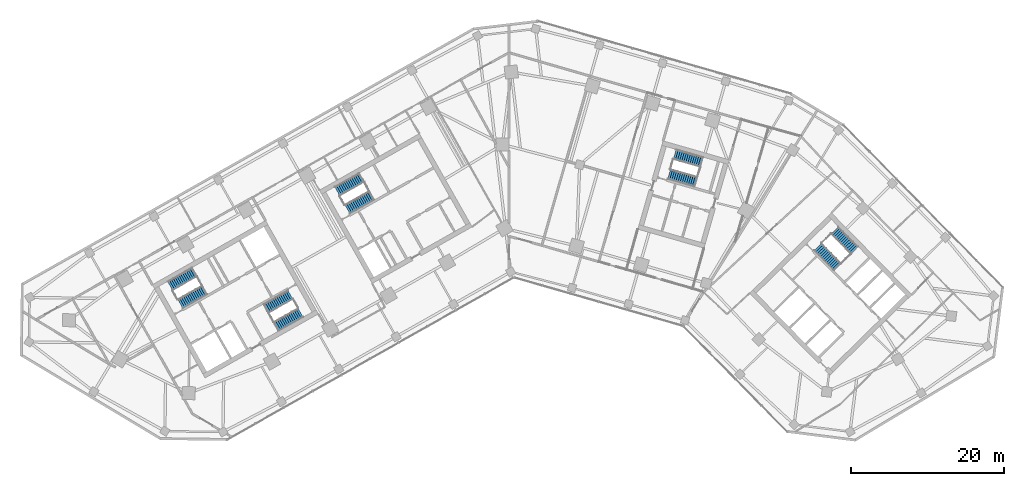
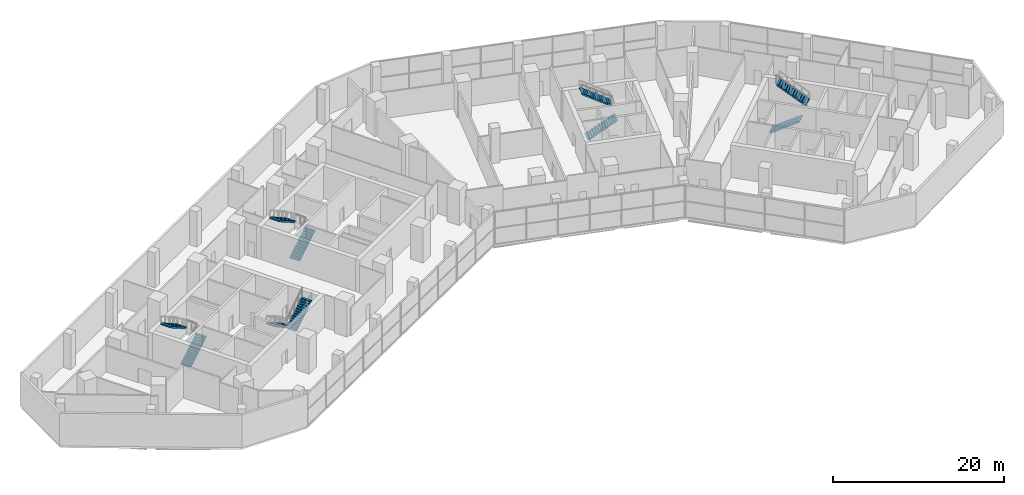
# One storey, part 16 of 18: 10 stair flights, 5 elements without a shape of their own.
"""IFC4 building model written with IfcOpenShell, lengths in metres."""

from ifc_helpers import new_model, si_unit, direction, frame, origin, place, context, subcontext, project, spatial, polyline, outline, extrude, material, type_object, element, aggregate, save


model = new_model("IFC4")

# Units and contexts
model_context = context("Model", 3, precision=1e-05, world=origin(), true_north=direction((0.0, 1.0)))
body_context = subcontext(model_context, "Body", "Model", "MODEL_VIEW")
ifc_project = project(units=[si_unit("LENGTHUNIT", "METRE"), si_unit("AREAUNIT", "SQUARE_METRE"), si_unit("VOLUMEUNIT", "CUBIC_METRE"), si_unit("PLANEANGLEUNIT", "RADIAN"), si_unit("MASSUNIT", "GRAM", prefix="KILO")], contexts=[model_context])

# Site, building, storey
site_placement = place(None, origin())
site = spatial("IfcSite", under=ifc_project, at=site_placement, CompositionType="ELEMENT")
building_placement = place(site_placement, origin())
building = spatial("IfcBuilding", under=site, at=building_placement, Name="Binnacle Exchange Tower", CompositionType="ELEMENT")
storey_placement = place(building_placement, frame((0.0, 0.0, 6.5)))
storey = spatial("IfcBuildingStorey", under=building, at=storey_placement, Name="L01", CompositionType="ELEMENT", Elevation=6.5)

# Stair, stair flights
ifc_material = material(Name="Concrete C35/45", Category="concrete")
stair_type = type_object("IfcStairType", Name="STAIR 28 RISERS 179", PredefinedType="HALF_TURN_STAIR", material=ifc_material)
stair_1_placement = place(storey_placement, origin())
stair_1 = element("IfcStair", 1, at=stair_1_placement, inside=storey, type_object=stair_type, Name="L01 Escape stair A1", PredefinedType="HALF_TURN_STAIR")
stair_flight_type = type_object("IfcStairFlightType", Name="STAIR FLIGHT 179X280", PredefinedType="STRAIGHT", material=ifc_material)
stair_flight_1_placement = place(storey_placement, frame((-42.9541015625, 39.17333984375, 0.0), z_axis=(0.0, 0.0, 1.0), x_axis=(0.870355584213, 0.492423757581, 0.0)))
stair_flight_1 = element("IfcStairFlight", 2, at=stair_flight_1_placement, type_object=stair_flight_type, Name="STA1 flight 1", NumberOfRisers=14, NumberOfTreads=13, PredefinedType="STRAIGHT", RiserHeight=0.178571429, TreadLength=0.28, context=body_context, shape_type="SweptSolid", body=[
    extrude(outline(polyline([(0.0, 0.0), (0.0, 0.178466796875), (0.280029296875, 0.178466796875), (0.280029296875, 0.357177734375), (0.56005859375, 0.357177734375), (0.56005859375, 0.53564453125), (0.840087890625, 0.53564453125), (0.840087890625, 0.71435546875), (1.1201171875, 0.71435546875), (1.1201171875, 0.892822265625), (1.39990234375, 0.892822265625), (1.39990234375, 1.071533203125), (1.679931640625, 1.071533203125), (1.679931640625, 1.25), (1.9599609375, 1.25), (1.9599609375, 1.428466796875), (2.239990234375, 1.428466796875), (2.239990234375, 1.607177734375), (2.52001953125, 1.607177734375), (2.52001953125, 1.78564453125), (2.800048828125, 1.78564453125), (2.800048828125, 1.96435546875), (3.080078125, 1.96435546875), (3.080078125, 2.142822265625), (3.360107421875, 2.142822265625), (3.360107421875, 2.321533203125), (3.639892578125, 2.321533203125), (3.639892578125, 2.5), (3.639892578125, 2.1435546875), (0.27880859375, 0.0), (0.0, 0.0)])), frame((0.0, 0.675048828125, 0.0), z_axis=(0.0, -1.0, 0.0), x_axis=(1.0, 0.0, 0.0)), (0.0, 0.0, 1.0), 1.35009765625),
])
stair_flight_2_placement = place(storey_placement, frame((-41.115478515625, 43.315673828125, 2.5), z_axis=(0.0, 0.0, 1.0), x_axis=(-0.870355584213, -0.492423757581, 0.0)))
stair_flight_2 = element("IfcStairFlight", 3, at=stair_flight_2_placement, type_object=stair_flight_type, Name="STA1 flight 2", NumberOfRisers=14, NumberOfTreads=13, PredefinedType="STRAIGHT", RiserHeight=0.178571429, TreadLength=0.28, context=body_context, shape_type="SweptSolid", body=[
    extrude(outline(polyline([(0.0, 0.0), (0.0, 0.178466796875), (0.280029296875, 0.178466796875), (0.280029296875, 0.357177734375), (0.56005859375, 0.357177734375), (0.56005859375, 0.53564453125), (0.840087890625, 0.53564453125), (0.840087890625, 0.71435546875), (1.1201171875, 0.71435546875), (1.1201171875, 0.892822265625), (1.39990234375, 0.892822265625), (1.39990234375, 1.071533203125), (1.679931640625, 1.071533203125), (1.679931640625, 1.25), (1.9599609375, 1.25), (1.9599609375, 1.428466796875), (2.239990234375, 1.428466796875), (2.239990234375, 1.607177734375), (2.52001953125, 1.607177734375), (2.52001953125, 1.78564453125), (2.800048828125, 1.78564453125), (2.800048828125, 1.96435546875), (3.080078125, 1.96435546875), (3.080078125, 2.142822265625), (3.360107421875, 2.142822265625), (3.360107421875, 2.321533203125), (3.639892578125, 2.321533203125), (3.639892578125, 2.5), (3.639892578125, 2.1435546875), (0.27880859375, 0.0), (0.0, 0.0)])), frame((0.0, 0.675048828125, 0.0), z_axis=(0.0, -1.0, 0.0), x_axis=(1.0, 0.0, 0.0)), (0.0, 0.0, 1.0), 1.35009765625),
])
aggregate(stair_1, [stair_flight_1, stair_flight_2])

stair_2_placement = place(storey_placement, origin())
stair_2 = element("IfcStair", 4, at=stair_2_placement, inside=storey, type_object=stair_type, Name="L01 Escape stair A2", PredefinedType="HALF_TURN_STAIR")
stair_flight_3_placement = place(storey_placement, frame((-28.5732421875, 40.3583984375, 0.0), z_axis=(0.0, 0.0, 1.0), x_axis=(-0.870355584213, -0.492423757581, 0.0)))
stair_flight_3 = element("IfcStairFlight", 5, at=stair_flight_3_placement, type_object=stair_flight_type, Name="STA2 flight 1", NumberOfRisers=14, NumberOfTreads=13, PredefinedType="STRAIGHT", RiserHeight=0.178571429, TreadLength=0.28, context=body_context, shape_type="SweptSolid", body=[
    extrude(outline(polyline([(0.0, 0.0), (0.0, 0.178466796875), (0.280029296875, 0.178466796875), (0.280029296875, 0.357177734375), (0.56005859375, 0.357177734375), (0.56005859375, 0.53564453125), (0.840087890625, 0.53564453125), (0.840087890625, 0.71435546875), (1.1201171875, 0.71435546875), (1.1201171875, 0.892822265625), (1.39990234375, 0.892822265625), (1.39990234375, 1.071533203125), (1.679931640625, 1.071533203125), (1.679931640625, 1.25), (1.9599609375, 1.25), (1.9599609375, 1.428466796875), (2.239990234375, 1.428466796875), (2.239990234375, 1.607177734375), (2.52001953125, 1.607177734375), (2.52001953125, 1.78564453125), (2.800048828125, 1.78564453125), (2.800048828125, 1.96435546875), (3.080078125, 1.96435546875), (3.080078125, 2.142822265625), (3.360107421875, 2.142822265625), (3.360107421875, 2.321533203125), (3.639892578125, 2.321533203125), (3.639892578125, 2.5), (3.639892578125, 2.1435546875), (0.27880859375, 0.0), (0.0, 0.0)])), frame((0.0, 0.675048828125, 0.0), z_axis=(0.0, -1.0, 0.0), x_axis=(1.0, 0.0, 0.0)), (0.0, 0.0, 1.0), 1.35009765625),
])
stair_flight_4_placement = place(storey_placement, frame((-30.411865234375, 36.216064453125, 2.5), z_axis=(0.0, 0.0, 1.0), x_axis=(0.870355584213, 0.492423757581, 0.0)))
stair_flight_4 = element("IfcStairFlight", 6, at=stair_flight_4_placement, type_object=stair_flight_type, Name="STA2 flight 2", NumberOfRisers=14, NumberOfTreads=13, PredefinedType="STRAIGHT", RiserHeight=0.178571429, TreadLength=0.28, context=body_context, shape_type="SweptSolid", body=[
    extrude(outline(polyline([(0.0, 0.0), (0.0, 0.178466796875), (0.280029296875, 0.178466796875), (0.280029296875, 0.357177734375), (0.56005859375, 0.357177734375), (0.56005859375, 0.53564453125), (0.840087890625, 0.53564453125), (0.840087890625, 0.71435546875), (1.1201171875, 0.71435546875), (1.1201171875, 0.892822265625), (1.39990234375, 0.892822265625), (1.39990234375, 1.071533203125), (1.679931640625, 1.071533203125), (1.679931640625, 1.25), (1.9599609375, 1.25), (1.9599609375, 1.428466796875), (2.239990234375, 1.428466796875), (2.239990234375, 1.607177734375), (2.52001953125, 1.607177734375), (2.52001953125, 1.78564453125), (2.800048828125, 1.78564453125), (2.800048828125, 1.96435546875), (3.080078125, 1.96435546875), (3.080078125, 2.142822265625), (3.360107421875, 2.142822265625), (3.360107421875, 2.321533203125), (3.639892578125, 2.321533203125), (3.639892578125, 2.5), (3.639892578125, 2.1435546875), (0.27880859375, 0.0), (0.0, 0.0)])), frame((0.0, 0.675048828125, 0.0), z_axis=(0.0, -1.0, 0.0), x_axis=(1.0, 0.0, 0.0)), (0.0, 0.0, 1.0), 1.35009765625),
])
aggregate(stair_2, [stair_flight_3, stair_flight_4])

stair_3_placement = place(storey_placement, origin())
stair_3 = element("IfcStair", 7, at=stair_3_placement, inside=storey, type_object=stair_type, Name="L01 Escape stair B1", PredefinedType="HALF_TURN_STAIR")
stair_flight_5_placement = place(storey_placement, frame((40.376708984375, 46.608642578125, 0.0), z_axis=(0.0, 0.0, 1.0), x_axis=(0.70090935144, -0.713250363522, 0.0)))
stair_flight_5 = element("IfcStairFlight", 8, at=stair_flight_5_placement, type_object=stair_flight_type, Name="STB1 flight 1", NumberOfRisers=14, NumberOfTreads=13, PredefinedType="STRAIGHT", RiserHeight=0.178571429, TreadLength=0.28, context=body_context, shape_type="SweptSolid", body=[
    extrude(outline(polyline([(0.0, 0.0), (0.0, 0.178466796875), (0.280029296875, 0.178466796875), (0.280029296875, 0.357177734375), (0.56005859375, 0.357177734375), (0.56005859375, 0.53564453125), (0.840087890625, 0.53564453125), (0.840087890625, 0.71435546875), (1.1201171875, 0.71435546875), (1.1201171875, 0.892822265625), (1.39990234375, 0.892822265625), (1.39990234375, 1.071533203125), (1.679931640625, 1.071533203125), (1.679931640625, 1.25), (1.9599609375, 1.25), (1.9599609375, 1.428466796875), (2.239990234375, 1.428466796875), (2.239990234375, 1.607177734375), (2.52001953125, 1.607177734375), (2.52001953125, 1.78564453125), (2.800048828125, 1.78564453125), (2.800048828125, 1.96435546875), (3.080078125, 1.96435546875), (3.080078125, 2.142822265625), (3.360107421875, 2.142822265625), (3.360107421875, 2.321533203125), (3.639892578125, 2.321533203125), (3.639892578125, 2.5), (3.639892578125, 2.1435546875), (0.27880859375, 0.0), (0.0, 0.0)])), frame((0.0, 0.675048828125, 0.0), z_axis=(0.0, -1.0, 0.0), x_axis=(1.0, 0.0, 0.0)), (0.0, 0.0, 1.0), 1.35009765625),
])
stair_flight_6_placement = place(storey_placement, frame((45.13916015625, 46.185302734375, 2.5), z_axis=(0.0, 0.0, 1.0), x_axis=(-0.70090935144, 0.713250363522, 0.0)))
stair_flight_6 = element("IfcStairFlight", 9, at=stair_flight_6_placement, type_object=stair_flight_type, Name="STB1 flight 2", NumberOfRisers=14, NumberOfTreads=13, PredefinedType="STRAIGHT", RiserHeight=0.178571429, TreadLength=0.28, context=body_context, shape_type="SweptSolid", body=[
    extrude(outline(polyline([(0.0, 0.0), (0.0, 0.178466796875), (0.280029296875, 0.178466796875), (0.280029296875, 0.357177734375), (0.56005859375, 0.357177734375), (0.56005859375, 0.53564453125), (0.840087890625, 0.53564453125), (0.840087890625, 0.71435546875), (1.1201171875, 0.71435546875), (1.1201171875, 0.892822265625), (1.39990234375, 0.892822265625), (1.39990234375, 1.071533203125), (1.679931640625, 1.071533203125), (1.679931640625, 1.25), (1.9599609375, 1.25), (1.9599609375, 1.428466796875), (2.239990234375, 1.428466796875), (2.239990234375, 1.607177734375), (2.52001953125, 1.607177734375), (2.52001953125, 1.78564453125), (2.800048828125, 1.78564453125), (2.800048828125, 1.96435546875), (3.080078125, 1.96435546875), (3.080078125, 2.142822265625), (3.360107421875, 2.142822265625), (3.360107421875, 2.321533203125), (3.639892578125, 2.321533203125), (3.639892578125, 2.5), (3.639892578125, 2.1435546875), (0.27880859375, 0.0), (0.0, 0.0)])), frame((0.0, 0.675048828125, 0.0), z_axis=(0.0, -1.0, 0.0), x_axis=(1.0, 0.0, 0.0)), (0.0, 0.0, 1.0), 1.35009765625),
])
aggregate(stair_3, [stair_flight_5, stair_flight_6])

stair_4_placement = place(storey_placement, origin())
stair_4 = element("IfcStair", 10, at=stair_4_placement, inside=storey, type_object=stair_type, Name="L01 Escape stair C1", PredefinedType="HALF_TURN_STAIR")
stair_flight_7_placement = place(storey_placement, frame((-21.115966796875, 51.528564453125, 0.0), z_axis=(0.0, 0.0, 1.0), x_axis=(0.870355584213, 0.492423757581, 0.0)))
stair_flight_7 = element("IfcStairFlight", 11, at=stair_flight_7_placement, type_object=stair_flight_type, Name="STC1 flight 1", NumberOfRisers=14, NumberOfTreads=13, PredefinedType="STRAIGHT", RiserHeight=0.178571429, TreadLength=0.28, context=body_context, shape_type="SweptSolid", body=[
    extrude(outline(polyline([(0.0, 0.0), (0.0, 0.178466796875), (0.280029296875, 0.178466796875), (0.280029296875, 0.357177734375), (0.56005859375, 0.357177734375), (0.56005859375, 0.53564453125), (0.840087890625, 0.53564453125), (0.840087890625, 0.71435546875), (1.1201171875, 0.71435546875), (1.1201171875, 0.892822265625), (1.39990234375, 0.892822265625), (1.39990234375, 1.071533203125), (1.679931640625, 1.071533203125), (1.679931640625, 1.25), (1.9599609375, 1.25), (1.9599609375, 1.428466796875), (2.239990234375, 1.428466796875), (2.239990234375, 1.607177734375), (2.52001953125, 1.607177734375), (2.52001953125, 1.78564453125), (2.800048828125, 1.78564453125), (2.800048828125, 1.96435546875), (3.080078125, 1.96435546875), (3.080078125, 2.142822265625), (3.360107421875, 2.142822265625), (3.360107421875, 2.321533203125), (3.639892578125, 2.321533203125), (3.639892578125, 2.5), (3.639892578125, 2.1435546875), (0.27880859375, 0.0), (0.0, 0.0)])), frame((0.0, 0.675048828125, 0.0), z_axis=(0.0, -1.0, 0.0), x_axis=(1.0, 0.0, 0.0)), (0.0, 0.0, 1.0), 1.35009765625),
])
stair_flight_8_placement = place(storey_placement, frame((-19.27734375, 55.671142578125, 2.5), z_axis=(0.0, 0.0, 1.0), x_axis=(-0.870355584213, -0.492423757581, 0.0)))
stair_flight_8 = element("IfcStairFlight", 12, at=stair_flight_8_placement, type_object=stair_flight_type, Name="STC1 flight 2", NumberOfRisers=14, NumberOfTreads=13, PredefinedType="STRAIGHT", RiserHeight=0.178571429, TreadLength=0.28, context=body_context, shape_type="SweptSolid", body=[
    extrude(outline(polyline([(0.0, 0.0), (0.0, 0.178466796875), (0.280029296875, 0.178466796875), (0.280029296875, 0.357177734375), (0.56005859375, 0.357177734375), (0.56005859375, 0.53564453125), (0.840087890625, 0.53564453125), (0.840087890625, 0.71435546875), (1.1201171875, 0.71435546875), (1.1201171875, 0.892822265625), (1.39990234375, 0.892822265625), (1.39990234375, 1.071533203125), (1.679931640625, 1.071533203125), (1.679931640625, 1.25), (1.9599609375, 1.25), (1.9599609375, 1.428466796875), (2.239990234375, 1.428466796875), (2.239990234375, 1.607177734375), (2.52001953125, 1.607177734375), (2.52001953125, 1.78564453125), (2.800048828125, 1.78564453125), (2.800048828125, 1.96435546875), (3.080078125, 1.96435546875), (3.080078125, 2.142822265625), (3.360107421875, 2.142822265625), (3.360107421875, 2.321533203125), (3.639892578125, 2.321533203125), (3.639892578125, 2.5), (3.639892578125, 2.1435546875), (0.27880859375, 0.0), (0.0, 0.0)])), frame((0.0, 0.675048828125, 0.0), z_axis=(0.0, -1.0, 0.0), x_axis=(1.0, 0.0, 0.0)), (0.0, 0.0, 1.0), 1.35009765625),
])
aggregate(stair_4, [stair_flight_7, stair_flight_8])

stair_5_placement = place(storey_placement, origin())
stair_5 = element("IfcStair", 13, at=stair_5_placement, inside=storey, type_object=stair_type, Name="L01 Escape stair D1", PredefinedType="HALF_TURN_STAIR")
stair_flight_9_placement = place(storey_placement, frame((20.914306640625, 56.109619140625, 0.0), z_axis=(0.0, 0.0, 1.0), x_axis=(0.961261811397, -0.275636953165, 0.0)))
stair_flight_9 = element("IfcStairFlight", 14, at=stair_flight_9_placement, type_object=stair_flight_type, Name="STD1 flight 1", NumberOfRisers=14, NumberOfTreads=13, PredefinedType="STRAIGHT", RiserHeight=0.178571429, TreadLength=0.28, context=body_context, shape_type="SweptSolid", body=[
    extrude(outline(polyline([(0.0, 0.0), (0.0, 0.178466796875), (0.280029296875, 0.178466796875), (0.280029296875, 0.357177734375), (0.56005859375, 0.357177734375), (0.56005859375, 0.53564453125), (0.840087890625, 0.53564453125), (0.840087890625, 0.71435546875), (1.1201171875, 0.71435546875), (1.1201171875, 0.892822265625), (1.39990234375, 0.892822265625), (1.39990234375, 1.071533203125), (1.679931640625, 1.071533203125), (1.679931640625, 1.25), (1.9599609375, 1.25), (1.9599609375, 1.428466796875), (2.239990234375, 1.428466796875), (2.239990234375, 1.607177734375), (2.52001953125, 1.607177734375), (2.52001953125, 1.78564453125), (2.800048828125, 1.78564453125), (2.800048828125, 1.96435546875), (3.080078125, 1.96435546875), (3.080078125, 2.142822265625), (3.360107421875, 2.142822265625), (3.360107421875, 2.321533203125), (3.639892578125, 2.321533203125), (3.639892578125, 2.5), (3.639892578125, 2.1435546875), (0.27880859375, 0.0), (0.0, 0.0)])), frame((0.0, 0.675048828125, 0.0), z_axis=(0.0, -1.0, 0.0), x_axis=(1.0, 0.0, 0.0)), (0.0, 0.0, 1.0), 1.35009765625),
])
stair_flight_10_placement = place(storey_placement, frame((25.157470703125, 57.70166015625, 2.5), z_axis=(0.0, 0.0, 1.0), x_axis=(-0.961261811397, 0.275636953165, 0.0)))
stair_flight_10 = element("IfcStairFlight", 15, at=stair_flight_10_placement, type_object=stair_flight_type, Name="STD1 flight 2", NumberOfRisers=14, NumberOfTreads=13, PredefinedType="STRAIGHT", RiserHeight=0.178571429, TreadLength=0.28, context=body_context, shape_type="SweptSolid", body=[
    extrude(outline(polyline([(0.0, 0.0), (0.0, 0.178466796875), (0.280029296875, 0.178466796875), (0.280029296875, 0.357177734375), (0.56005859375, 0.357177734375), (0.56005859375, 0.53564453125), (0.840087890625, 0.53564453125), (0.840087890625, 0.71435546875), (1.1201171875, 0.71435546875), (1.1201171875, 0.892822265625), (1.39990234375, 0.892822265625), (1.39990234375, 1.071533203125), (1.679931640625, 1.071533203125), (1.679931640625, 1.25), (1.9599609375, 1.25), (1.9599609375, 1.428466796875), (2.239990234375, 1.428466796875), (2.239990234375, 1.607177734375), (2.52001953125, 1.607177734375), (2.52001953125, 1.78564453125), (2.800048828125, 1.78564453125), (2.800048828125, 1.96435546875), (3.080078125, 1.96435546875), (3.080078125, 2.142822265625), (3.360107421875, 2.142822265625), (3.360107421875, 2.321533203125), (3.639892578125, 2.321533203125), (3.639892578125, 2.5), (3.639892578125, 2.1435546875), (0.27880859375, 0.0), (0.0, 0.0)])), frame((0.0, 0.675048828125, 0.0), z_axis=(0.0, -1.0, 0.0), x_axis=(1.0, 0.0, 0.0)), (0.0, 0.0, 1.0), 1.35009765625),
])
aggregate(stair_5, [stair_flight_9, stair_flight_10])

save(model, "model.ifc")
